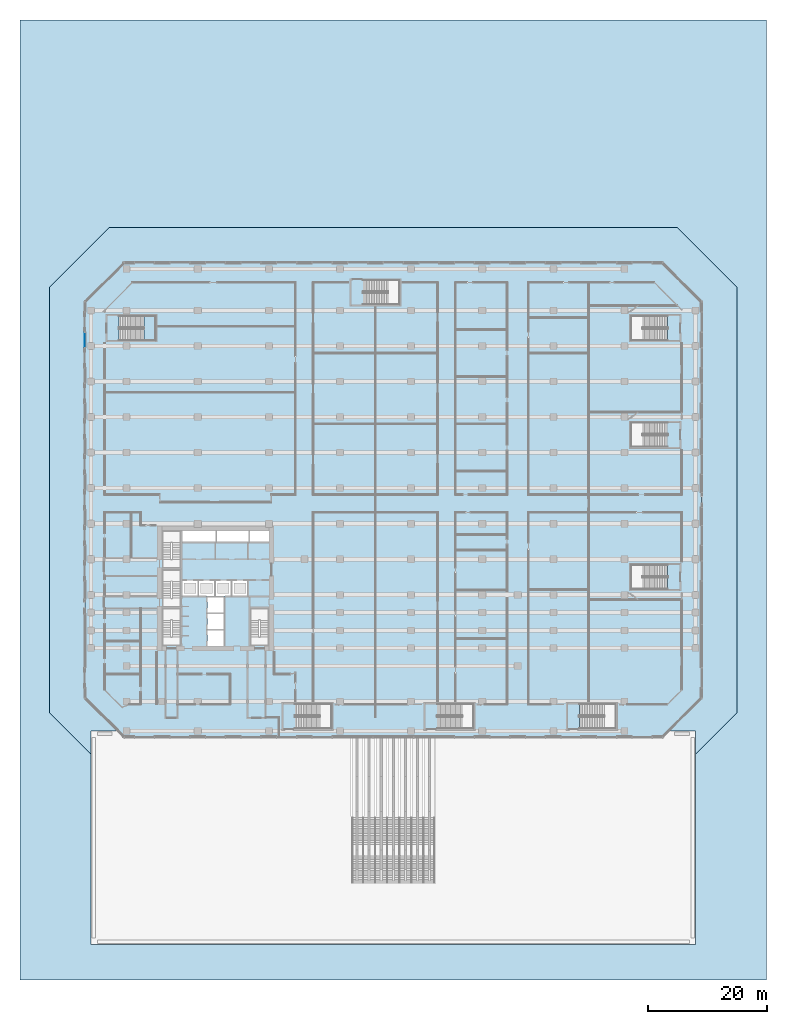
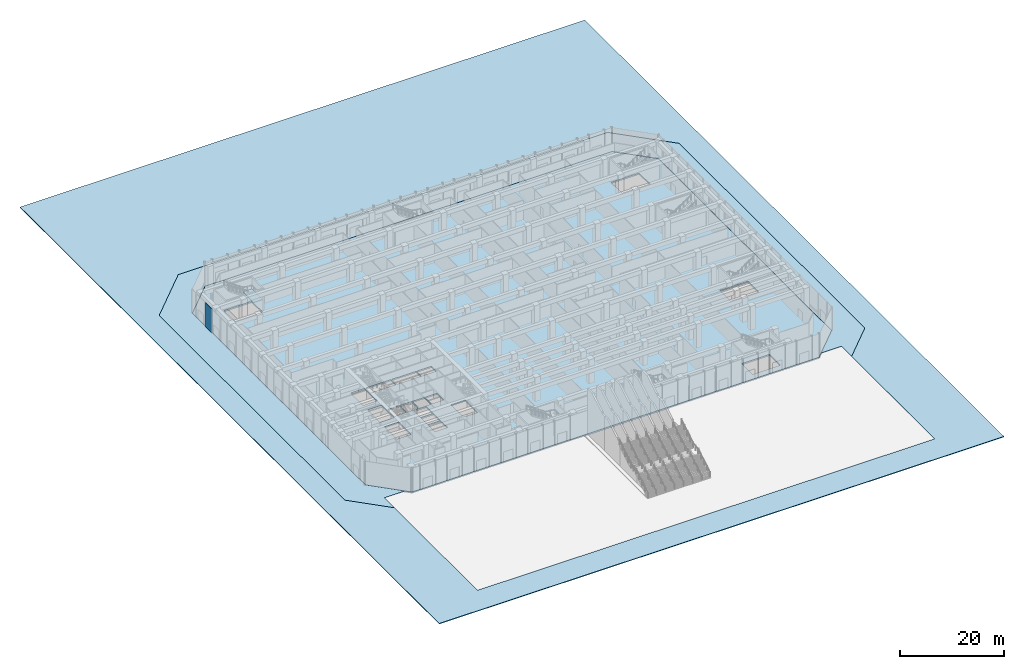
# One storey, part 14 of 32: 4 slabs, 1 plate, 2 elements without a shape of their own.
"""IFC4 building model written with IfcOpenShell, lengths in metres."""

from ifc_helpers import new_model, si_unit, direction, frame, origin, origin_2d, place, context, subcontext, project, spatial, polyline, rectangle, outline, extrude, material, layer, layer_set, type_object, element, aggregate, save


model = new_model("IFC4")

# Units and contexts
model_context = context("Model", 3, precision=1e-05, world=origin(), true_north=direction((0.0, 1.0)))
body_context = subcontext(model_context, "Body", "Model", "MODEL_VIEW")
ifc_project = project(units=[si_unit("LENGTHUNIT", "METRE"), si_unit("AREAUNIT", "SQUARE_METRE"), si_unit("VOLUMEUNIT", "CUBIC_METRE"), si_unit("PLANEANGLEUNIT", "RADIAN"), si_unit("MASSUNIT", "GRAM", prefix="KILO")], contexts=[model_context])

# Site, building, storey
site_placement = place(None, origin())
site = spatial("IfcSite", under=ifc_project, at=site_placement, CompositionType="ELEMENT")
building_placement = place(site_placement, origin())
building = spatial("IfcBuilding", under=site, at=building_placement, Name="Welwitschia Terrace Campus", CompositionType="ELEMENT")
storey_placement = place(building_placement, origin())
storey = spatial("IfcBuildingStorey", under=building, at=storey_placement, Name="L00", CompositionType="ELEMENT", Elevation=0.0)

# Curtain wall, plate
ifc_material_1 = material(Name="Bronze anodised aluminium", Category="aluminium")
ifc_layer_1 = layer(ifc_material_1, 0.199951171875)
ifc_layer_set_1 = layer_set([ifc_layer_1], Name="Bronze anodised aluminium")
curtain_wall_type = type_object("IfcCurtainWallType", Name="Curtain wall CW4 arcade shopfront 7500", PredefinedType="NOTDEFINED", material=ifc_layer_set_1)
curtain_wall_placement = place(storey_placement, origin())
curtain_wall = element("IfcCurtainWall", 1, at=curtain_wall_placement, inside=storey, type_object=curtain_wall_type, Name="CW L00.6.g1", PredefinedType="NOTDEFINED")
ifc_material_2 = material(Name="Tinted bronze-grey glass", Category="glass")
ifc_layer_2 = layer(ifc_material_2, 0.0439453125)
ifc_layer_set_2 = layer_set([ifc_layer_2], Name="Tinted bronze-grey glass")
plate_type = type_object("IfcPlateType", Name="Glass panel 44 laminated", PredefinedType="CURTAIN_PANEL", material=ifc_layer_set_2)
plate_placement = place(storey_placement, frame((-7.0849609375, 57.0, 0.0), z_axis=(0.0, 0.0, 1.0), x_axis=(0.0, -1.0, 0.0)))
plate = element("IfcPlate", 2, at=plate_placement, type_object=plate_type, Name="Panel L00.6.g1.0", PredefinedType="CURTAIN_PANEL", context=body_context, shape_type="SweptSolid", body=[
    extrude(rectangle(XDim=2.5, YDim=0.0439453125, at=origin_2d()), origin(), (0.0, 0.0, 1.0), 5.64990234375),
])
aggregate(curtain_wall, [plate])

# Slabs
ifc_material_3 = material(Name="Concrete C30/37 paving", Category="concrete")
ifc_layer_3 = layer(ifc_material_3, 0.14990234375)
ifc_layer_set_3 = layer_set([ifc_layer_3], Name="Concrete C30/37 paving")
slab_type_1 = type_object("IfcSlabType", Name="Paving slab 150", PredefinedType="USERDEFINED", material=ifc_layer_set_3)
slab_1_placement = place(storey_placement, frame((0.0, 0.0, -0.14990234375)))
element("IfcSlab", 3, at=slab_1_placement, inside=storey, type_object=slab_type_1, Name="Entrance apron paving", ObjectType="PAVING", PredefinedType="USERDEFINED", context=body_context, shape_type="SweptSolid", body=[
    extrude(outline(polyline([(-13.0, -5.8994140625), (-13.0, 65.8994140625), (-2.8994140625, 76.0), (92.8994140625, 76.0), (103.0, 65.8994140625), (103.0, -5.8994140625), (96.0, -12.8994140625), (96.0, -9.0), (91.414306640625, -9.0), (97.0, -3.414306640625), (97.0, 63.414306640625), (90.414306640625, 70.0), (-0.414306640625, 70.0), (-7.0, 63.414306640625), (-7.0, -3.414306640625), (-1.414306640625, -9.0), (-6.0, -9.0), (-6.0, -12.8994140625), (-13.0, -5.8994140625)])), origin(), (0.0, 0.0, 1.0), 0.14990234375),
])
slab_2_placement = place(storey_placement, frame((0.0, 0.0, -0.14990234375)))
element("IfcSlab", 4, at=slab_2_placement, inside=storey, type_object=slab_type_1, Name="Street forecourt paving", ObjectType="PAVING", PredefinedType="USERDEFINED", context=body_context, shape_type="SweptSolid", body=[
    extrude(outline(polyline([(-18.0, -51.0), (-18.0, 111.0), (108.0, 111.0), (108.0, -51.0), (-18.0, -51.0)]), holes=[polyline([(96.0, -12.8994140625), (103.0, -5.8994140625), (103.0, 65.8994140625), (92.8994140625, 76.0), (-2.8994140625, 76.0), (-13.0, 65.8994140625), (-13.0, -5.8994140625), (-6.0, -12.8994140625), (-6.0, -45.0), (96.0, -45.0), (96.0, -12.8994140625)])]), origin(), (0.0, 0.0, 1.0), 0.14990234375),
])

# Stair, slab
ifc_material_4 = material(Name="Concrete C40/50", Category="concrete")
stair_type = type_object("IfcStairType", Name="Stair 32R 188 W2000", PredefinedType="HALF_TURN_STAIR", material=ifc_material_4)
stair_placement = place(storey_placement, origin())
stair = element("IfcStair", 5, at=stair_placement, inside=storey, type_object=stair_type, Name="L00 Podium stair P4", PredefinedType="HALF_TURN_STAIR")
ifc_material_5 = material(Name="Concrete C40/50", Category="concrete")
ifc_layer_4 = layer(ifc_material_5, 0.199951171875)
ifc_layer_set_4 = layer_set([ifc_layer_4], Name="Concrete C40/50")
slab_type_2 = type_object("IfcSlabType", Name="Stair landing RC", PredefinedType="LANDING", material=ifc_layer_set_4)
slab_3_placement = place(storey_placement, frame((0.0, 0.0, 2.800048828125)))
slab_3 = element("IfcSlab", 6, at=slab_3_placement, type_object=slab_type_2, Name="P4 landing 1", PredefinedType="LANDING", context=body_context, shape_type="SweptSolid", body=[
    extrude(outline(polyline([(2.89990234375, 56.925048828125), (4.89990234375, 56.925048828125), (4.89990234375, 61.074951171875), (2.89990234375, 61.074951171875), (2.89990234375, 56.925048828125)])), origin(), (0.0, 0.0, 1.0), 0.199951171875),
])
aggregate(stair, [slab_3])

# Slab
ifc_material_6 = material(Name="Concrete C40/50", Category="concrete")
ifc_layer_5 = layer(ifc_material_6, 0.35009765625)
ifc_layer_set_5 = layer_set([ifc_layer_5], Name="Concrete C40/50")
slab_type_3 = type_object("IfcSlabType", Name="Suspended floor slab 350", PredefinedType="FLOOR", material=ifc_layer_set_5)
slab_4_placement = place(storey_placement, frame((0.0, 0.0, -0.35009765625)))
element("IfcSlab", 7, at=slab_4_placement, inside=storey, type_object=slab_type_3, Name="Floor slab L00", PredefinedType="FLOOR", context=body_context, shape_type="SweptSolid", body=[
    extrude(outline(polyline([(-7.0, -3.414306640625), (-7.0, 63.414306640625), (-0.414306640625, 70.0), (90.414306640625, 70.0), (97.0, 63.414306640625), (97.0, -3.414306640625), (90.414306640625, -10.0), (-0.414306640625, -10.0), (-7.0, -3.414306640625)]), holes=[polyline([(16.39990234375, 8.0), (13.60009765625, 8.0), (13.60009765625, 5.39990234375), (16.39990234375, 5.39990234375), (16.39990234375, 8.0)]), polyline([(9.14990234375, 11.699951171875), (6.0, 11.699951171875), (6.0, 6.902099609375), (9.14990234375, 6.902099609375), (9.14990234375, 11.699951171875)]), polyline([(16.39990234375, 10.800048828125), (13.60009765625, 10.800048828125), (13.60009765625, 8.199951171875), (16.39990234375, 8.199951171875), (16.39990234375, 10.800048828125)]), polyline([(12.0, 16.39990234375), (9.39990234375, 16.39990234375), (9.39990234375, 13.800048828125), (12.0, 13.800048828125), (12.0, 16.39990234375)]), polyline([(14.800048828125, 16.39990234375), (12.199951171875, 16.39990234375), (12.199951171875, 13.800048828125), (14.800048828125, 13.800048828125), (14.800048828125, 16.39990234375)]), polyline([(9.14990234375, 18.25), (6.0, 18.25), (6.0, 13.451904296875), (9.14990234375, 13.451904296875), (9.14990234375, 18.25)]), polyline([(9.14990234375, 24.800048828125), (6.0, 24.800048828125), (6.0, 20.001953125), (9.14990234375, 20.001953125), (9.14990234375, 24.800048828125)]), polyline([(15.0, 22.89990234375), (15.0, 24.800048828125), (9.39990234375, 24.800048828125), (9.39990234375, 22.89990234375), (15.0, 22.89990234375)]), polyline([(4.89990234375, 56.925048828125), (4.89990234375, 61.074951171875), (-1.298095703125, 61.074951171875), (-1.298095703125, 56.925048828125), (4.89990234375, 56.925048828125)]), polyline([(82.60009765625, -4.425048828125), (76.402099609375, -4.425048828125), (76.402099609375, -8.574951171875), (82.60009765625, -8.574951171875), (82.60009765625, -4.425048828125)]), polyline([(24.0, 11.699951171875), (20.85009765625, 11.699951171875), (20.85009765625, 6.902099609375), (24.0, 6.902099609375), (24.0, 11.699951171875)]), polyline([(16.39990234375, 13.60009765625), (13.60009765625, 13.60009765625), (13.60009765625, 11.0), (16.39990234375, 11.0), (16.39990234375, 13.60009765625)]), polyline([(17.60009765625, 16.39990234375), (15.0, 16.39990234375), (15.0, 13.800048828125), (17.60009765625, 13.800048828125), (17.60009765625, 16.39990234375)]), polyline([(20.39990234375, 16.39990234375), (17.800048828125, 16.39990234375), (17.800048828125, 13.800048828125), (20.39990234375, 13.800048828125), (20.39990234375, 16.39990234375)]), polyline([(91.298095703125, 19.074951171875), (85.10009765625, 19.074951171875), (85.10009765625, 14.925048828125), (91.298095703125, 14.925048828125), (91.298095703125, 19.074951171875)]), polyline([(20.60009765625, 24.800048828125), (15.199951171875, 24.800048828125), (15.199951171875, 22.89990234375), (20.60009765625, 22.89990234375), (20.60009765625, 24.800048828125)]), polyline([(24.0, 22.89990234375), (24.0, 24.800048828125), (20.800048828125, 24.800048828125), (20.800048828125, 22.89990234375), (24.0, 22.89990234375)]), polyline([(91.298095703125, 56.925048828125), (91.298095703125, 61.074951171875), (85.10009765625, 61.074951171875), (85.10009765625, 56.925048828125), (91.298095703125, 56.925048828125)])]), origin(), (0.0, 0.0, 1.0), 0.35009765625),
])

save(model, "model.ifc")
